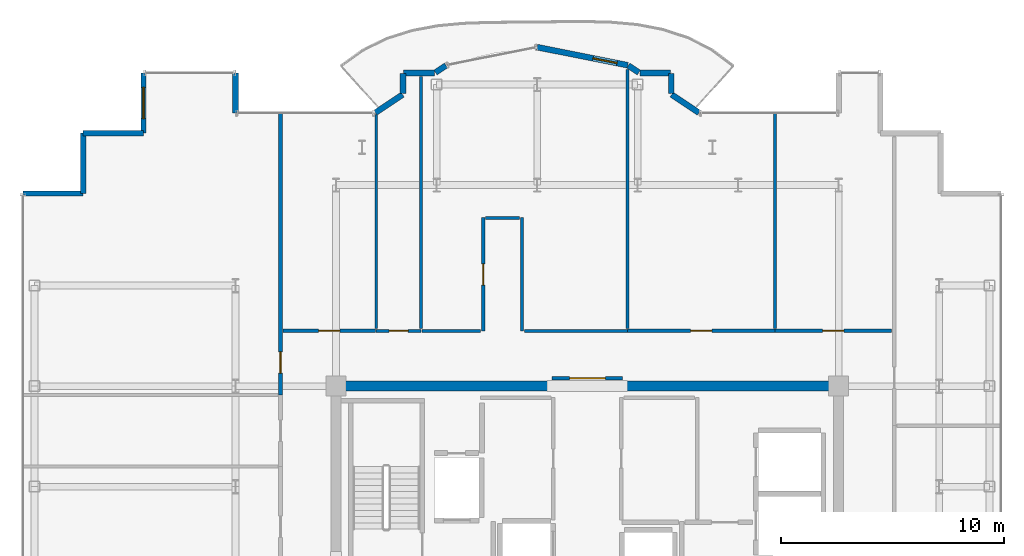
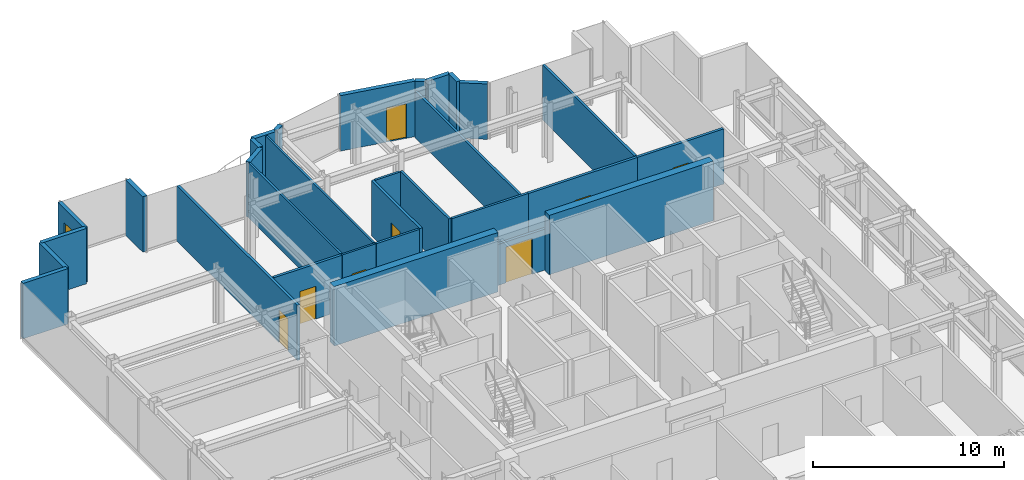
# One storey, part 16 of 18: 31 walls, 8 doors, 1 window, 9 openings.
"""IFC4 building model written with IfcOpenShell, lengths in metres."""

from ifc_helpers import new_model, si_unit, direction, frame, frame_2d, origin, place, context, subcontext, project, spatial, rectangle, extrude, source, transform, mapped, material, layer, layer_set, type_object, element, fill, save


model = new_model("IFC4")

# Units and contexts
model_context = context("Model", 3, precision=1e-05, world=origin(), true_north=direction((0.0, 1.0)))
body_context = subcontext(model_context, "Body", "Model", "MODEL_VIEW")
ifc_project = project(units=[si_unit("LENGTHUNIT", "METRE"), si_unit("AREAUNIT", "SQUARE_METRE"), si_unit("VOLUMEUNIT", "CUBIC_METRE"), si_unit("PLANEANGLEUNIT", "RADIAN"), si_unit("MASSUNIT", "GRAM", prefix="KILO")], contexts=[model_context])

# Site, building, storey
site_placement = place(None, origin())
site = spatial("IfcSite", under=ifc_project, at=site_placement, CompositionType="ELEMENT")
building_placement = place(site_placement, origin())
building = spatial("IfcBuilding", under=site, at=building_placement, Name="Nefas-Gora Pilgrimage Tower", CompositionType="ELEMENT")
storey_placement = place(building_placement, frame((0.0, 0.0, 306.39990234375)))
storey = spatial("IfcBuildingStorey", under=building, at=storey_placement, Name="L77", CompositionType="ELEMENT", Elevation=306.39990234375)

# Walls
ifc_material_1 = material(Name="Concrete C50/60", Category="concrete")
ifc_layer_1 = layer(ifc_material_1, 0.449951171875)
ifc_layer_set_1 = layer_set([ifc_layer_1], Name="Concrete C50/60")
wall_type_1 = type_object("IfcWallType", Name="SW-CORE-450", PredefinedType="SHEAR", material=ifc_layer_set_1)
shared_shape_1 = source(origin(), body_context, "Body", "SweptSolid", [
    extrude(rectangle(XDim=9.925048828125, YDim=0.449951171875, at=frame_2d((4.96240234375, 0.0))), origin(), (0.0, 0.0, 1.0), 3.800048828125),
])
for number, where, z_axis, x_axis, name in (
    (1, (-11.47509765625, 9.0, 0.0), (0.0, 0.0, 1.0), (1.0, 0.0, 0.0), "L77 Core Shear Wall N-West"),
    (2, (1.550048828125, 9.0, 0.0), (0.0, 0.0, 1.0), (1.0, 0.0, 0.0), "L77 Core Shear Wall N-East"),
):
    element("IfcWall", number, at=place(storey_placement, frame(where, z_axis=z_axis, x_axis=x_axis)), inside=storey, type_object=wall_type_1, Name=name, PredefinedType="SHEAR", context=body_context, shape_type="MappedRepresentation", body=[
        mapped(shared_shape_1, transform((0.0, 0.0, 0.0), x_axis=(1.0, 0.0, 0.0), y_axis=(0.0, 1.0, 0.0), z_axis=(0.0, 0.0, 1.0), scale=1.0)),
    ])
ifc_material_2 = material(Name="Precast concrete C40/50", Category="concrete")
ifc_layer_2 = layer(ifc_material_2, 0.260009765625)
ifc_layer_set_2 = layer_set([ifc_layer_2], Name="Precast concrete C40/50")
wall_type_2 = type_object("IfcWallType", Name="EW-PORTAL-260", PredefinedType="SOLIDWALL", material=ifc_layer_set_2)
shared_shape_2 = source(origin(), body_context, "Body", "SweptSolid", [
    extrude(rectangle(XDim=1.800048828125, YDim=0.260009765625, at=frame_2d((0.89990234375, 0.0))), origin(), (0.0, 0.0, 1.0), 3.550048828125),
])
wall_1_placement = place(storey_placement, frame((-15.75, 21.219970703125, 0.0), z_axis=(0.0, 0.0, 1.0), x_axis=(0.0, 1.0, 0.0)))
element("IfcWall", 3, at=wall_1_placement, inside=storey, type_object=wall_type_2, Name="L77 Lobe Shoulder Precast Spandrel Pier 16", PredefinedType="SOLIDWALL", context=body_context, shape_type="MappedRepresentation", body=[
    mapped(shared_shape_2, transform((0.0, 0.0, 0.0), x_axis=(1.0, 0.0, 0.0), y_axis=(0.0, 1.0, 0.0), z_axis=(0.0, 0.0, 1.0), scale=1.0)),
])

# Wall, opening, window
ifc_material_3 = material(Name="Precast concrete C45/55", Category="concrete")
ifc_layer_3 = layer(ifc_material_3, 0.239990234375)
ifc_layer_set_3 = layer_set([ifc_layer_3], Name="Precast concrete C45/55")
wall_type_3 = type_object("IfcWallType", Name="EW-SERR-240", PredefinedType="SHEAR", material=ifc_layer_set_3)
shared_shape_3 = source(origin(), body_context, "Body", "SweptSolid", [
    extrude(rectangle(XDim=2.699951171875, YDim=0.239990234375, at=frame_2d((1.35009765625, 0.0))), origin(), (0.0, 0.0, 1.0), 3.550048828125),
])
wall_2_placement = place(storey_placement, frame((-19.8701171875, 23.02001953125, 0.0), z_axis=(0.0, 0.0, 1.0), x_axis=(0.0, -1.0, 0.0)))
wall_2 = element("IfcWall", 4, at=wall_2_placement, inside=storey, type_object=wall_type_3, Name="L77 Serrated Corner Shear Pier Wall 17", PredefinedType="SHEAR", context=body_context, shape_type="MappedRepresentation", body=[
    mapped(shared_shape_3, transform((0.0, 0.0, 0.0), x_axis=(1.0, 0.0, 0.0), y_axis=(0.0, 1.0, 0.0), z_axis=(0.0, 0.0, 1.0), scale=1.0)),
])
opening_1_placement = place(wall_2_placement, frame((0.64990234375, 0.0, 0.85009765625)))
opening_1 = element("IfcOpeningElement", 5, at=opening_1_placement, cuts=wall_2, Name="Opening W-V2", PredefinedType="OPENING", context=body_context, shape_type="SweptSolid", body=[
    extrude(rectangle(XDim=1.39990234375, YDim=1.800048828125, at=frame_2d((0.699951171875, 0.89990234375))), frame((0.0, 0.1298828125, 0.0), z_axis=(0.0, -1.0, 0.0), x_axis=(1.0, 0.0, 0.0)), (0.0, 0.0, 1.0), 0.260009765625),
])
ifc_material_4 = material(Name="Dark ceramic-fritted operable aluminium-glass window", Category="aluminium")
window_type = type_object("IfcWindowType", Name="WIN-VENT-1400x1800", PartitioningType="SINGLE_PANEL", PredefinedType="WINDOW", material=ifc_material_4)
shared_shape_4 = source(origin(), body_context, "Body", "SweptSolid", [
    extrude(rectangle(XDim=1.39990234375, YDim=1.800048828125, at=frame_2d((0.699951171875, 0.89990234375))), frame((0.0, 0.030029296875, 0.0), z_axis=(0.0, -1.0, 0.0), x_axis=(1.0, 0.0, 0.0)), (0.0, 0.0, 1.0), 0.06005859375),
])
window_placement = place(opening_1_placement, origin())
window = element("IfcWindow", 6, at=window_placement, inside=storey, type_object=window_type, Name="L77 Operable Parallel-Outswing Window 17", OverallHeight=1.800048828125, OverallWidth=1.39990234375, PartitioningType="SINGLE_PANEL", PredefinedType="WINDOW", context=body_context, shape_type="MappedRepresentation", body=[
    mapped(shared_shape_4, transform((0.0, 0.0, 0.0), x_axis=(1.0, 0.0, 0.0), y_axis=(0.0, 1.0, 0.0), z_axis=(0.0, 0.0, 1.0), scale=1.0)),
])
fill(opening_1, window)

# Walls
for number, where, z_axis, x_axis, name in (
    (7, (-19.8701171875, 20.320068359375, 0.0), (0.0, 0.0, 1.0), (-1.0, 0.0, 0.0), "L77 Serrated Corner Shear Pier Wall 18"),
    (8, (-22.570068359375, 20.320068359375, 0.0), (0.0, 0.0, 1.0), (0.0, -1.0, 0.0), "L77 Serrated Corner Shear Pier Wall 19"),
    (9, (-22.570068359375, 17.6201171875, 0.0), (0.0, 0.0, 1.0), (-1.0, 0.0, 0.0), "L77 Serrated Corner Shear Pier Wall 20"),
):
    element("IfcWall", number, at=place(storey_placement, frame(where, z_axis=z_axis, x_axis=x_axis)), inside=storey, type_object=wall_type_3, Name=name, PredefinedType="SHEAR", context=body_context, shape_type="MappedRepresentation", body=[
        mapped(shared_shape_3, transform((0.0, 0.0, 0.0), x_axis=(1.0, 0.0, 0.0), y_axis=(0.0, 1.0, 0.0), z_axis=(0.0, 0.0, 1.0), scale=1.0)),
    ])
shared_shape_5 = source(origin(), body_context, "Body", "SweptSolid", [
    extrude(rectangle(XDim=1.468994140625, YDim=0.260009765625, at=frame_2d((0.734375, 0.0))), origin(), (0.0, 0.0, 1.0), 3.550048828125),
])
for number, where, z_axis, x_axis, name in (
    (10, (4.99462890625, 21.235595703125, 0.0), (0.0, 0.0, 1.0), (-0.831461760506, 0.555581983884, 0.0), "L77 Lobe Shoulder Precast Spandrel Pier 7"),
    (11, (-8.273193359375, 22.0517578125, 0.0), (0.0, 0.0, 1.0), (-0.831461760506, -0.555581983884, 0.0), "L77 Lobe Shoulder Precast Spandrel Pier 15"),
):
    element("IfcWall", number, at=place(storey_placement, frame(where, z_axis=z_axis, x_axis=x_axis)), inside=storey, type_object=wall_type_2, Name=name, PredefinedType="SOLIDWALL", context=body_context, shape_type="MappedRepresentation", body=[
        mapped(shared_shape_5, transform((0.0, 0.0, 0.0), x_axis=(1.0, 0.0, 0.0), y_axis=(0.0, 1.0, 0.0), z_axis=(0.0, 0.0, 1.0), scale=1.0)),
    ])
shared_shape_6 = source(origin(), body_context, "Body", "SweptSolid", [
    extrude(rectangle(XDim=0.896728515625, YDim=0.260009765625, at=frame_2d((0.4482421875, 0.0))), origin(), (0.0, 0.0, 1.0), 3.550048828125),
])
for number, where, z_axis, x_axis, name in (
    (12, (3.75, 22.09521484375, 0.0), (0.0, 0.0, 1.0), (0.0, 1.0, 0.0), "L77 Lobe Shoulder Precast Spandrel Pier 8"),
    (13, (-8.25, 22.991943359375, 0.0), (0.0, 0.0, 1.0), (0.0, -1.0, 0.0), "L77 Lobe Shoulder Precast Spandrel Pier 14"),
):
    element("IfcWall", number, at=place(storey_placement, frame(where, z_axis=z_axis, x_axis=x_axis)), inside=storey, type_object=wall_type_2, Name=name, PredefinedType="SOLIDWALL", context=body_context, shape_type="MappedRepresentation", body=[
        mapped(shared_shape_6, transform((0.0, 0.0, 0.0), x_axis=(1.0, 0.0, 0.0), y_axis=(0.0, 1.0, 0.0), z_axis=(0.0, 0.0, 1.0), scale=1.0)),
    ])
shared_shape_7 = source(origin(), body_context, "Body", "SweptSolid", [
    extrude(rectangle(XDim=1.369873046875, YDim=0.260009765625, at=frame_2d((0.68505859375, 0.0))), origin(), (0.0, 0.0, 1.0), 3.550048828125),
])
for number, where, z_axis, x_axis, name in (
    (14, (3.721923828125, 23.02001953125, 0.0), (0.0, 0.0, 1.0), (-1.0, 0.0, 0.0), "L77 Lobe Shoulder Precast Spandrel Pier 9"),
    (15, (-6.85205078125, 23.02001953125, 0.0), (0.0, 0.0, 1.0), (-1.0, 0.0, 0.0), "L77 Lobe Shoulder Precast Spandrel Pier 13"),
):
    element("IfcWall", number, at=place(storey_placement, frame(where, z_axis=z_axis, x_axis=x_axis)), inside=storey, type_object=wall_type_2, Name=name, PredefinedType="SOLIDWALL", context=body_context, shape_type="MappedRepresentation", body=[
        mapped(shared_shape_7, transform((0.0, 0.0, 0.0), x_axis=(1.0, 0.0, 0.0), y_axis=(0.0, 1.0, 0.0), z_axis=(0.0, 0.0, 1.0), scale=1.0)),
    ])
shared_shape_8 = source(origin(), body_context, "Body", "SweptSolid", [
    extrude(rectangle(XDim=0.5654296875, YDim=0.260009765625, at=frame_2d((0.28271484375, 0.0))), origin(), (0.0, 0.0, 1.0), 3.550048828125),
])
for number, where, z_axis, x_axis, name in (
    (16, (2.30078125, 23.03564453125, 0.0), (0.0, 0.0, 1.0), (-0.831651492666, 0.555297933317, 0.0), "L77 Lobe Shoulder Precast Spandrel Pier 10"),
    (17, (-6.33056640625, 23.349609375, 0.0), (0.0, 0.0, 1.0), (-0.831651492666, -0.555297933317, 0.0), "L77 Lobe Shoulder Precast Spandrel Pier 12"),
):
    element("IfcWall", number, at=place(storey_placement, frame(where, z_axis=z_axis, x_axis=x_axis)), inside=storey, type_object=wall_type_2, Name=name, PredefinedType="SOLIDWALL", context=body_context, shape_type="MappedRepresentation", body=[
        mapped(shared_shape_8, transform((0.0, 0.0, 0.0), x_axis=(1.0, 0.0, 0.0), y_axis=(0.0, 1.0, 0.0), z_axis=(0.0, 0.0, 1.0), scale=1.0)),
    ])

# Wall, opening, door
shared_shape_9 = source(origin(), body_context, "Body", "SweptSolid", [
    extrude(rectangle(XDim=4.136962890625, YDim=0.260009765625, at=frame_2d((2.068359375, 0.0))), origin(), (0.0, 0.0, 1.0), 3.550048828125),
])
wall_3_placement = place(storey_placement, frame((1.807373046875, 23.365234375, 0.0), z_axis=(0.0, 0.0, 1.0), x_axis=(-0.980782170794, 0.195105954428, 0.0)))
wall_3 = element("IfcWall", 18, at=wall_3_placement, inside=storey, type_object=wall_type_2, Name="L77 Insulated Terrace Portal Wall 11", PredefinedType="SOLIDWALL", context=body_context, shape_type="MappedRepresentation", body=[
    mapped(shared_shape_9, transform((0.0, 0.0, 0.0), x_axis=(1.0, 0.0, 0.0), y_axis=(0.0, 1.0, 0.0), z_axis=(0.0, 0.0, 1.0), scale=1.0)),
])
opening_2_placement = place(wall_3_placement, frame((0.48779296875, 0.0, 0.0)))
opening_2 = element("IfcOpeningElement", 19, at=opening_2_placement, cuts=wall_3, Name="Opening ED-B1", PredefinedType="OPENING", context=body_context, shape_type="SweptSolid", body=[
    extrude(rectangle(XDim=1.10009765625, YDim=2.199951171875, at=frame_2d((0.550048828125, 1.10009765625))), frame((0.0, 0.139892578125, 0.0), z_axis=(0.0, -1.0, 0.0), x_axis=(1.0, 0.0, 0.0)), (0.0, 0.0, 1.0), 0.280029296875),
])
ifc_material_5 = material(Name="Thermally broken glazed aluminium balcony door", Category="aluminium")
door_type_1 = type_object("IfcDoorType", Name="DR-EXT-BAL-1100", OperationType="NOTDEFINED", PredefinedType="DOOR", material=ifc_material_5)
shared_shape_10 = source(origin(), body_context, "Body", "SweptSolid", [
    extrude(rectangle(XDim=1.10009765625, YDim=2.199951171875, at=frame_2d((0.550048828125, 1.10009765625))), frame((0.0, 0.02490234375, 0.0), z_axis=(0.0, -1.0, 0.0), x_axis=(1.0, 0.0, 0.0)), (0.0, 0.0, 1.0), 0.050048828125),
])
door_1_placement = place(opening_2_placement, origin())
door_1 = element("IfcDoor", 20, at=door_1_placement, inside=storey, type_object=door_type_1, Name="L77 Exterior Door (L77 N Lobe Wave Balcony)", OperationType="SINGLE_SWING_LEFT", OverallHeight=2.199951171875, OverallWidth=1.10009765625, PredefinedType="DOOR", context=body_context, shape_type="MappedRepresentation", body=[
    mapped(shared_shape_10, transform((0.0, 0.0, 0.0), x_axis=(1.0, 0.0, 0.0), y_axis=(0.0, 1.0, 0.0), z_axis=(0.0, 0.0, 1.0), scale=1.0)),
])
fill(opening_2, door_1)

ifc_material_6 = material(Name="Moisture-resistant fire-rated gypsum partition")
ifc_layer_4 = layer(ifc_material_6, 0.1201171875)
ifc_layer_set_4 = layer_set([ifc_layer_4], Name="Moisture-resistant fire-rated gypsum partition")
wall_type_4 = type_object("IfcWallType", Name="IW-WET-120", PredefinedType="PLUMBINGWALL", material=ifc_layer_set_4)
shared_shape_11 = source(origin(), body_context, "Body", "SweptSolid", [
    extrude(rectangle(XDim=2.02001953125, YDim=0.1201171875, at=frame_2d((1.010009765625, 0.0))), origin(), (0.0, 0.0, 1.0), 3.53515625),
])
wall_4_placement = place(storey_placement, frame((-9.4599609375, 11.469970703125, 0.0), z_axis=(0.0, 0.0, 1.0), x_axis=(1.0, 0.0, 0.0)))
wall_4 = element("IfcWall", 21, at=wall_4_placement, inside=storey, type_object=wall_type_4, Name="L77 Accessible Unisex WC Partition Wall 34", PredefinedType="PLUMBINGWALL", context=body_context, shape_type="MappedRepresentation", body=[
    mapped(shared_shape_11, transform((0.0, 0.0, 0.0), x_axis=(1.0, 0.0, 0.0), y_axis=(0.0, 1.0, 0.0), z_axis=(0.0, 0.0, 1.0), scale=1.0)),
])
opening_3_placement = place(wall_4_placement, frame((0.5849609375, 0.0, 0.0)))
opening_3 = element("IfcOpeningElement", 22, at=opening_3_placement, cuts=wall_4, Name="Opening ID-BT1", PredefinedType="OPENING", context=body_context, shape_type="SweptSolid", body=[
    extrude(rectangle(XDim=0.85009765625, YDim=2.10009765625, at=frame_2d((0.425048828125, 1.050048828125))), frame((0.0, 0.070068359375, 0.0), z_axis=(0.0, -1.0, 0.0), x_axis=(1.0, 0.0, 0.0)), (0.0, 0.0, 1.0), 0.14013671875),
])
ifc_material_7 = material(Name="Moisture-resistant fire-rated timber door", Category="wood")
door_type_2 = type_object("IfcDoorType", Name="DR-INT-BATH-850", OperationType="NOTDEFINED", PredefinedType="DOOR", material=ifc_material_7)
shared_shape_12 = source(origin(), body_context, "Body", "SweptSolid", [
    extrude(rectangle(XDim=0.85009765625, YDim=2.10009765625, at=frame_2d((0.425048828125, 1.050048828125))), frame((0.0, 0.02490234375, 0.0), z_axis=(0.0, -1.0, 0.0), x_axis=(1.0, 0.0, 0.0)), (0.0, 0.0, 1.0), 0.050048828125),
])
door_2_placement = place(opening_3_placement, origin())
door_2 = element("IfcDoor", 23, at=door_2_placement, inside=storey, type_object=door_type_2, Name="L77 Accessible Unisex WC Door 14", OperationType="SINGLE_SWING_RIGHT", OverallHeight=2.10009765625, OverallWidth=0.85009765625, PredefinedType="DOOR", context=body_context, shape_type="MappedRepresentation", body=[
    mapped(shared_shape_12, transform((0.0, 0.0, 0.0), x_axis=(1.0, 0.0, 0.0), y_axis=(0.0, 1.0, 0.0), z_axis=(0.0, 0.0, 1.0), scale=1.0)),
])
fill(opening_3, door_2)

# Walls
shared_shape_13 = source(origin(), body_context, "Body", "SweptSolid", [
    extrude(rectangle(XDim=11.280029296875, YDim=0.1201171875, at=frame_2d((5.64013671875, 0.0))), origin(), (0.0, 0.0, 1.0), 3.53515625),
])
wall_5_placement = place(storey_placement, frame((-7.449951171875, 11.570068359375, 0.0), z_axis=(0.0, 0.0, 1.0), x_axis=(0.0, 1.0, 0.0)))
element("IfcWall", 24, at=wall_5_placement, inside=storey, type_object=wall_type_4, Name="L77 Accessible Unisex WC Partition Wall 35", PredefinedType="PLUMBINGWALL", context=body_context, shape_type="MappedRepresentation", body=[
    mapped(shared_shape_13, transform((0.0, 0.0, 0.0), x_axis=(1.0, 0.0, 0.0), y_axis=(0.0, 1.0, 0.0), z_axis=(0.0, 0.0, 1.0), scale=1.0)),
])
shared_shape_14 = source(origin(), body_context, "Body", "SweptSolid", [
    extrude(rectangle(XDim=9.586669921875, YDim=0.1201171875, at=frame_2d((4.79345703125, 0.0))), origin(), (0.0, 0.0, 1.0), 3.53515625),
])
wall_6_placement = place(storey_placement, frame((-9.449951171875, 11.570068359375, 0.0), z_axis=(0.0, 0.0, 1.0), x_axis=(0.0, 1.0, 0.0)))
element("IfcWall", 25, at=wall_6_placement, inside=storey, type_object=wall_type_4, Name="L77 Accessible Unisex WC Partition Wall 36", PredefinedType="PLUMBINGWALL", context=body_context, shape_type="MappedRepresentation", body=[
    mapped(shared_shape_14, transform((0.0, 0.0, 0.0), x_axis=(1.0, 0.0, 0.0), y_axis=(0.0, 1.0, 0.0), z_axis=(0.0, 0.0, 1.0), scale=1.0)),
])

# Wall, opening, door
ifc_material_8 = material(Name="Gypsum acoustic stud partition")
ifc_layer_5 = layer(ifc_material_8, 0.159912109375)
ifc_layer_set_5 = layer_set([ifc_layer_5], Name="Gypsum acoustic stud partition")
wall_type_5 = type_object("IfcWallType", Name="IW-CORR-160", PredefinedType="PARTITIONING", material=ifc_layer_set_5)
shared_shape_15 = source(origin(), body_context, "Body", "SweptSolid", [
    extrude(rectangle(XDim=4.125, YDim=0.159912109375, at=frame_2d((2.0625, 0.0))), origin(), (0.0, 0.0, 1.0), 3.53515625),
])
wall_7_placement = place(storey_placement, frame((-13.6201171875, 11.469970703125, 0.0), z_axis=(0.0, 0.0, 1.0), x_axis=(1.0, 0.0, 0.0)))
wall_7 = element("IfcWall", 26, at=wall_7_placement, inside=storey, type_object=wall_type_5, Name="L77 Pilgrim Contemplative Lounge Partition Wall 53", PredefinedType="PARTITIONING", context=body_context, shape_type="MappedRepresentation", body=[
    mapped(shared_shape_15, transform((0.0, 0.0, 0.0), x_axis=(1.0, 0.0, 0.0), y_axis=(0.0, 1.0, 0.0), z_axis=(0.0, 0.0, 1.0), scale=1.0)),
])
opening_4_placement = place(wall_7_placement, frame((1.58740234375, 0.0, 0.0)))
opening_4 = element("IfcOpeningElement", 27, at=opening_4_placement, cuts=wall_7, Name="Opening ID-GR1", PredefinedType="OPENING", context=body_context, shape_type="SweptSolid", body=[
    extrude(rectangle(XDim=0.949951171875, YDim=2.10009765625, at=frame_2d((0.47509765625, 1.050048828125))), frame((0.0, 0.08984375, 0.0), z_axis=(0.0, -1.0, 0.0), x_axis=(1.0, 0.0, 0.0)), (0.0, 0.0, 1.0), 0.179931640625),
])
ifc_material_9 = material(Name="Solid core oak fire-rated guest entrance door")
door_type_3 = type_object("IfcDoorType", Name="DR-INT-GUEST-950", OperationType="NOTDEFINED", PredefinedType="DOOR", material=ifc_material_9)
shared_shape_16 = source(origin(), body_context, "Body", "SweptSolid", [
    extrude(rectangle(XDim=0.949951171875, YDim=2.10009765625, at=frame_2d((0.47509765625, 1.050048828125))), frame((0.0, 0.02490234375, 0.0), z_axis=(0.0, -1.0, 0.0), x_axis=(1.0, 0.0, 0.0)), (0.0, 0.0, 1.0), 0.050048828125),
])
door_3_placement = place(opening_4_placement, origin())
door_3 = element("IfcDoor", 28, at=door_3_placement, inside=storey, type_object=door_type_3, Name="L77 Pilgrim Contemplative Lounge Door 24", OperationType="SINGLE_SWING_RIGHT", OverallHeight=2.10009765625, OverallWidth=0.949951171875, PredefinedType="DOOR", context=body_context, shape_type="MappedRepresentation", body=[
    mapped(shared_shape_16, transform((0.0, 0.0, 0.0), x_axis=(1.0, 0.0, 0.0), y_axis=(0.0, 1.0, 0.0), z_axis=(0.0, 0.0, 1.0), scale=1.0)),
])
fill(opening_4, door_3)

# Wall
ifc_material_10 = material(Name="Gypsum twin-stud partition")
ifc_layer_6 = layer(ifc_material_10, 0.139892578125)
ifc_layer_set_6 = layer_set([ifc_layer_6], Name="Gypsum twin-stud partition")
wall_type_6 = type_object("IfcWallType", Name="IW-UNIT-140", PredefinedType="PARTITIONING", material=ifc_layer_set_6)
shared_shape_17 = source(origin(), body_context, "Body", "SweptSolid", [
    extrude(rectangle(XDim=9.64990234375, YDim=0.139892578125, at=frame_2d((4.824951171875, 0.0))), origin(), (0.0, 0.0, 1.0), 3.53515625),
])
wall_8_placement = place(storey_placement, frame((8.39501953125, 11.590087890625, 0.0), z_axis=(0.0, 0.0, 1.0), x_axis=(0.0, 1.0, 0.0)))
element("IfcWall", 29, at=wall_8_placement, inside=storey, type_object=wall_type_6, Name="L77 Pilgrim Contemplative Lounge Partition Wall 61", PredefinedType="PARTITIONING", context=body_context, shape_type="MappedRepresentation", body=[
    mapped(shared_shape_17, transform((0.0, 0.0, 0.0), x_axis=(1.0, 0.0, 0.0), y_axis=(0.0, 1.0, 0.0), z_axis=(0.0, 0.0, 1.0), scale=1.0)),
])

# Wall, opening, door
shared_shape_18 = source(origin(), body_context, "Body", "SweptSolid", [
    extrude(rectangle(XDim=12.64501953125, YDim=0.159912109375, at=frame_2d((6.322509765625, 0.0))), origin(), (0.0, 0.0, 1.0), 3.53515625),
])
wall_9_placement = place(storey_placement, frame((-13.739990234375, 8.594970703125, 0.0), z_axis=(0.0, 0.0, 1.0), x_axis=(0.0, 1.0, 0.0)))
wall_9 = element("IfcWall", 30, at=wall_9_placement, inside=storey, type_object=wall_type_5, Name="L77 Pilgrim Tea and Beverage Pantry Partition Wall 47", PredefinedType="PARTITIONING", context=body_context, shape_type="MappedRepresentation", body=[
    mapped(shared_shape_18, transform((0.0, 0.0, 0.0), x_axis=(1.0, 0.0, 0.0), y_axis=(0.0, 1.0, 0.0), z_axis=(0.0, 0.0, 1.0), scale=1.0)),
])
opening_5_placement = place(wall_9_placement, frame((0.982421875, 0.0, 0.0)))
opening_5 = element("IfcOpeningElement", 31, at=opening_5_placement, cuts=wall_9, Name="Opening ID-GR1", PredefinedType="OPENING", context=body_context, shape_type="SweptSolid", body=[
    extrude(rectangle(XDim=0.949951171875, YDim=2.10009765625, at=frame_2d((0.47509765625, 1.050048828125))), frame((0.0, 0.08984375, 0.0), z_axis=(0.0, -1.0, 0.0), x_axis=(1.0, 0.0, 0.0)), (0.0, 0.0, 1.0), 0.179931640625),
])
door_4_placement = place(opening_5_placement, origin())
door_4 = element("IfcDoor", 32, at=door_4_placement, inside=storey, type_object=door_type_3, Name="L77 Pilgrim Tea and Beverage Pantry Door 20", OperationType="SINGLE_SWING_RIGHT", OverallHeight=2.10009765625, OverallWidth=0.949951171875, PredefinedType="DOOR", context=body_context, shape_type="MappedRepresentation", body=[
    mapped(shared_shape_16, transform((0.0, 0.0, 0.0), x_axis=(1.0, 0.0, 0.0), y_axis=(0.0, 1.0, 0.0), z_axis=(0.0, 0.0, 1.0), scale=1.0)),
])
fill(opening_5, door_4)

shared_shape_19 = source(origin(), body_context, "Body", "SweptSolid", [
    extrude(rectangle(XDim=6.610107421875, YDim=0.159912109375, at=frame_2d((3.30517578125, 0.0))), origin(), (0.0, 0.0, 1.0), 3.53515625),
])
wall_10_placement = place(storey_placement, frame((1.794921875, 11.469970703125, 0.0), z_axis=(0.0, 0.0, 1.0), x_axis=(1.0, 0.0, 0.0)))
wall_10 = element("IfcWall", 33, at=wall_10_placement, inside=storey, type_object=wall_type_5, Name="L77 Pilgrim Contemplative Lounge Partition Wall 60", PredefinedType="PARTITIONING", context=body_context, shape_type="MappedRepresentation", body=[
    mapped(shared_shape_19, transform((0.0, 0.0, 0.0), x_axis=(1.0, 0.0, 0.0), y_axis=(0.0, 1.0, 0.0), z_axis=(0.0, 0.0, 1.0), scale=1.0)),
])
opening_6_placement = place(wall_10_placement, frame((2.830078125, 0.0, 0.0)))
opening_6 = element("IfcOpeningElement", 34, at=opening_6_placement, cuts=wall_10, Name="Opening ID-GR1", PredefinedType="OPENING", context=body_context, shape_type="SweptSolid", body=[
    extrude(rectangle(XDim=0.949951171875, YDim=2.10009765625, at=frame_2d((0.47509765625, 1.050048828125))), frame((0.0, 0.08984375, 0.0), z_axis=(0.0, -1.0, 0.0), x_axis=(1.0, 0.0, 0.0)), (0.0, 0.0, 1.0), 0.179931640625),
])
door_5_placement = place(opening_6_placement, origin())
door_5 = element("IfcDoor", 35, at=door_5_placement, inside=storey, type_object=door_type_3, Name="L77 Pilgrim Contemplative Lounge Door 26", OperationType="SINGLE_SWING_RIGHT", OverallHeight=2.10009765625, OverallWidth=0.949951171875, PredefinedType="DOOR", context=body_context, shape_type="MappedRepresentation", body=[
    mapped(shared_shape_16, transform((0.0, 0.0, 0.0), x_axis=(1.0, 0.0, 0.0), y_axis=(0.0, 1.0, 0.0), z_axis=(0.0, 0.0, 1.0), scale=1.0)),
])
fill(opening_6, door_5)

shared_shape_20 = source(origin(), body_context, "Body", "SweptSolid", [
    extrude(rectangle(XDim=5.22509765625, YDim=0.159912109375, at=frame_2d((2.612548828125, 0.0))), origin(), (0.0, 0.0, 1.0), 3.53515625),
])
wall_11_placement = place(storey_placement, frame((8.39501953125, 11.469970703125, 0.0), z_axis=(0.0, 0.0, 1.0), x_axis=(1.0, 0.0, 0.0)))
wall_11 = element("IfcWall", 36, at=wall_11_placement, inside=storey, type_object=wall_type_5, Name="L77 Pilgrim Contemplative Lounge Partition Wall 62", PredefinedType="PARTITIONING", context=body_context, shape_type="MappedRepresentation", body=[
    mapped(shared_shape_20, transform((0.0, 0.0, 0.0), x_axis=(1.0, 0.0, 0.0), y_axis=(0.0, 1.0, 0.0), z_axis=(0.0, 0.0, 1.0), scale=1.0)),
])
opening_7_placement = place(wall_11_placement, frame((2.137451171875, 0.0, 0.0)))
opening_7 = element("IfcOpeningElement", 37, at=opening_7_placement, cuts=wall_11, Name="Opening ID-GR1", PredefinedType="OPENING", context=body_context, shape_type="SweptSolid", body=[
    extrude(rectangle(XDim=0.949951171875, YDim=2.10009765625, at=frame_2d((0.47509765625, 1.050048828125))), frame((0.0, 0.08984375, 0.0), z_axis=(0.0, -1.0, 0.0), x_axis=(1.0, 0.0, 0.0)), (0.0, 0.0, 1.0), 0.179931640625),
])
door_6_placement = place(opening_7_placement, origin())
door_6 = element("IfcDoor", 38, at=door_6_placement, inside=storey, type_object=door_type_3, Name="L77 Pilgrim Contemplative Lounge Door 27", OperationType="SINGLE_SWING_LEFT", OverallHeight=2.10009765625, OverallWidth=0.949951171875, PredefinedType="DOOR", context=body_context, shape_type="MappedRepresentation", body=[
    mapped(shared_shape_16, transform((0.0, 0.0, 0.0), x_axis=(1.0, 0.0, 0.0), y_axis=(0.0, 1.0, 0.0), z_axis=(0.0, 0.0, 1.0), scale=1.0)),
])
fill(opening_7, door_6)

shared_shape_21 = source(origin(), body_context, "Body", "SweptSolid", [
    extrude(rectangle(XDim=3.16015625, YDim=0.159912109375, at=frame_2d((1.580078125, 0.0))), origin(), (0.0, 0.0, 1.0), 2.625),
])
wall_12_placement = place(storey_placement, frame((-1.580078125, 9.35009765625, 0.0), z_axis=(0.0, 0.0, 1.0), x_axis=(1.0, 0.0, 0.0)))
wall_12 = element("IfcWall", 39, at=wall_12_placement, inside=storey, type_object=wall_type_5, Name="L77 Central Lift Lobby North Portal Wall 16", PredefinedType="PARTITIONING", context=body_context, shape_type="MappedRepresentation", body=[
    mapped(shared_shape_21, transform((0.0, 0.0, 0.0), x_axis=(1.0, 0.0, 0.0), y_axis=(0.0, 1.0, 0.0), z_axis=(0.0, 0.0, 1.0), scale=1.0)),
])
opening_8_placement = place(wall_12_placement, frame((0.780029296875, 0.0, 0.0)))
opening_8 = element("IfcOpeningElement", 40, at=opening_8_placement, cuts=wall_12, Name="Opening ID-HL1", PredefinedType="OPENING", context=body_context, shape_type="SweptSolid", body=[
    extrude(rectangle(XDim=1.60009765625, YDim=2.300048828125, at=frame_2d((0.800048828125, 1.14990234375))), frame((0.0, 0.08984375, 0.0), z_axis=(0.0, -1.0, 0.0), x_axis=(1.0, 0.0, 0.0)), (0.0, 0.0, 1.0), 0.179931640625),
])
ifc_material_11 = material(Name="Double acoustic timber assembly hall door", Category="wood")
door_type_4 = type_object("IfcDoorType", Name="DR-INT-HALL-1600", OperationType="DOUBLE_DOOR_SINGLE_SWING", PredefinedType="DOOR", material=ifc_material_11)
shared_shape_22 = source(origin(), body_context, "Body", "SweptSolid", [
    extrude(rectangle(XDim=1.60009765625, YDim=2.300048828125, at=frame_2d((0.800048828125, 1.14990234375))), frame((0.0, 0.02490234375, 0.0), z_axis=(0.0, -1.0, 0.0), x_axis=(1.0, 0.0, 0.0)), (0.0, 0.0, 1.0), 0.050048828125),
])
door_7_placement = place(opening_8_placement, origin())
door_7 = element("IfcDoor", 41, at=door_7_placement, inside=storey, type_object=door_type_4, Name="L77 Central Lift Lobby North Portal Door 6", OperationType="DOUBLE_DOOR_SINGLE_SWING", OverallHeight=2.300048828125, OverallWidth=1.60009765625, PredefinedType="DOOR", context=body_context, shape_type="MappedRepresentation", body=[
    mapped(shared_shape_22, transform((0.0, 0.0, 0.0), x_axis=(1.0, 0.0, 0.0), y_axis=(0.0, 1.0, 0.0), z_axis=(0.0, 0.0, 1.0), scale=1.0)),
])
fill(opening_8, door_7)

shared_shape_23 = source(origin(), body_context, "Body", "SweptSolid", [
    extrude(rectangle(XDim=5.080078125, YDim=0.159912109375, at=frame_2d((2.5400390625, 0.0))), origin(), (0.0, 0.0, 1.0), 3.53515625),
])
wall_13_placement = place(storey_placement, frame((-4.669921875, 11.4599609375, 0.0), z_axis=(0.0, 0.0, 1.0), x_axis=(0.0, 1.0, 0.0)))
wall_13 = element("IfcWall", 42, at=wall_13_placement, inside=storey, type_object=wall_type_5, Name="L77 Pilgrim Contemplative Lounge Partition Wall 54", PredefinedType="PARTITIONING", context=body_context, shape_type="MappedRepresentation", body=[
    mapped(shared_shape_23, transform((0.0, 0.0, 0.0), x_axis=(1.0, 0.0, 0.0), y_axis=(0.0, 1.0, 0.0), z_axis=(0.0, 0.0, 1.0), scale=1.0)),
])
opening_9_placement = place(wall_13_placement, frame((2.06494140625, 0.0, 0.0)))
opening_9 = element("IfcOpeningElement", 43, at=opening_9_placement, cuts=wall_13, Name="Opening ID-GR1", PredefinedType="OPENING", context=body_context, shape_type="SweptSolid", body=[
    extrude(rectangle(XDim=0.949951171875, YDim=2.10009765625, at=frame_2d((0.47509765625, 1.050048828125))), frame((0.0, 0.08984375, 0.0), z_axis=(0.0, -1.0, 0.0), x_axis=(1.0, 0.0, 0.0)), (0.0, 0.0, 1.0), 0.179931640625),
])
door_8_placement = place(opening_9_placement, origin())
door_8 = element("IfcDoor", 44, at=door_8_placement, inside=storey, type_object=door_type_3, Name="L77 Pilgrim Contemplative Lounge Door 25", OperationType="SINGLE_SWING_LEFT", OverallHeight=2.10009765625, OverallWidth=0.949951171875, PredefinedType="DOOR", context=body_context, shape_type="MappedRepresentation", body=[
    mapped(shared_shape_16, transform((0.0, 0.0, 0.0), x_axis=(1.0, 0.0, 0.0), y_axis=(0.0, 1.0, 0.0), z_axis=(0.0, 0.0, 1.0), scale=1.0)),
])
fill(opening_9, door_8)

# Walls
shared_shape_24 = source(origin(), body_context, "Body", "SweptSolid", [
    extrude(rectangle(XDim=5.080078125, YDim=0.139892578125, at=frame_2d((2.5400390625, 0.0))), origin(), (0.0, 0.0, 1.0), 3.53515625),
])
wall_14_placement = place(storey_placement, frame((-2.929931640625, 11.4599609375, 0.0), z_axis=(0.0, 0.0, 1.0), x_axis=(0.0, 1.0, 0.0)))
element("IfcWall", 45, at=wall_14_placement, inside=storey, type_object=wall_type_6, Name="L77 Pilgrim Contemplative Lounge Partition Wall 55", PredefinedType="PARTITIONING", context=body_context, shape_type="MappedRepresentation", body=[
    mapped(shared_shape_24, transform((0.0, 0.0, 0.0), x_axis=(1.0, 0.0, 0.0), y_axis=(0.0, 1.0, 0.0), z_axis=(0.0, 0.0, 1.0), scale=1.0)),
])
shared_shape_25 = source(origin(), body_context, "Body", "SweptSolid", [
    extrude(rectangle(XDim=4.625, YDim=0.139892578125, at=frame_2d((2.3125, 0.0))), origin(), (0.0, 0.0, 1.0), 3.53515625),
])
wall_15_placement = place(storey_placement, frame((-2.820068359375, 11.469970703125, 0.0), z_axis=(0.0, 0.0, 1.0), x_axis=(1.0, 0.0, 0.0)))
element("IfcWall", 46, at=wall_15_placement, inside=storey, type_object=wall_type_6, Name="L77 Pilgrim Contemplative Lounge Partition Wall 56", PredefinedType="PARTITIONING", context=body_context, shape_type="MappedRepresentation", body=[
    mapped(shared_shape_25, transform((0.0, 0.0, 0.0), x_axis=(1.0, 0.0, 0.0), y_axis=(0.0, 1.0, 0.0), z_axis=(0.0, 0.0, 1.0), scale=1.0)),
])
shared_shape_26 = source(origin(), body_context, "Body", "SweptSolid", [
    extrude(rectangle(XDim=2.614990234375, YDim=0.139892578125, at=frame_2d((1.3076171875, 0.0))), origin(), (0.0, 0.0, 1.0), 3.53515625),
])
wall_16_placement = place(storey_placement, frame((-7.405029296875, 11.469970703125, 0.0), z_axis=(0.0, 0.0, 1.0), x_axis=(1.0, 0.0, 0.0)))
element("IfcWall", 47, at=wall_16_placement, inside=storey, type_object=wall_type_6, Name="L77 Pilgrim Contemplative Lounge Partition Wall 57", PredefinedType="PARTITIONING", context=body_context, shape_type="MappedRepresentation", body=[
    mapped(shared_shape_26, transform((0.0, 0.0, 0.0), x_axis=(1.0, 0.0, 0.0), y_axis=(0.0, 1.0, 0.0), z_axis=(0.0, 0.0, 1.0), scale=1.0)),
])
shared_shape_27 = source(origin(), body_context, "Body", "SweptSolid", [
    extrude(rectangle(XDim=1.510009765625, YDim=0.139892578125, at=frame_2d((0.7548828125, 0.0))), origin(), (0.0, 0.0, 1.0), 3.53515625),
])
wall_17_placement = place(storey_placement, frame((-4.550048828125, 16.52001953125, 0.0), z_axis=(0.0, 0.0, 1.0), x_axis=(1.0, 0.0, 0.0)))
element("IfcWall", 48, at=wall_17_placement, inside=storey, type_object=wall_type_6, Name="L77 Pilgrim Contemplative Lounge Partition Wall 58", PredefinedType="PARTITIONING", context=body_context, shape_type="MappedRepresentation", body=[
    mapped(shared_shape_27, transform((0.0, 0.0, 0.0), x_axis=(1.0, 0.0, 0.0), y_axis=(0.0, 1.0, 0.0), z_axis=(0.0, 0.0, 1.0), scale=1.0)),
])
shared_shape_28 = source(origin(), body_context, "Body", "SweptSolid", [
    extrude(rectangle(XDim=11.59130859375, YDim=0.139892578125, at=frame_2d((5.795654296875, 0.0))), origin(), (0.0, 0.0, 1.0), 2.97509765625),
])
wall_18_placement = place(storey_placement, frame((1.794921875, 11.580078125, 0.0), z_axis=(0.0, 0.0, 1.0), x_axis=(0.0, 1.0, 0.0)))
element("IfcWall", 49, at=wall_18_placement, inside=storey, type_object=wall_type_6, Name="L77 Pilgrim Contemplative Lounge Partition Wall 59", PredefinedType="PARTITIONING", context=body_context, shape_type="MappedRepresentation", body=[
    mapped(shared_shape_28, transform((0.0, 0.0, 0.0), x_axis=(1.0, 0.0, 0.0), y_axis=(0.0, 1.0, 0.0), z_axis=(0.0, 0.0, 1.0), scale=1.0)),
])

save(model, "model.ifc")
